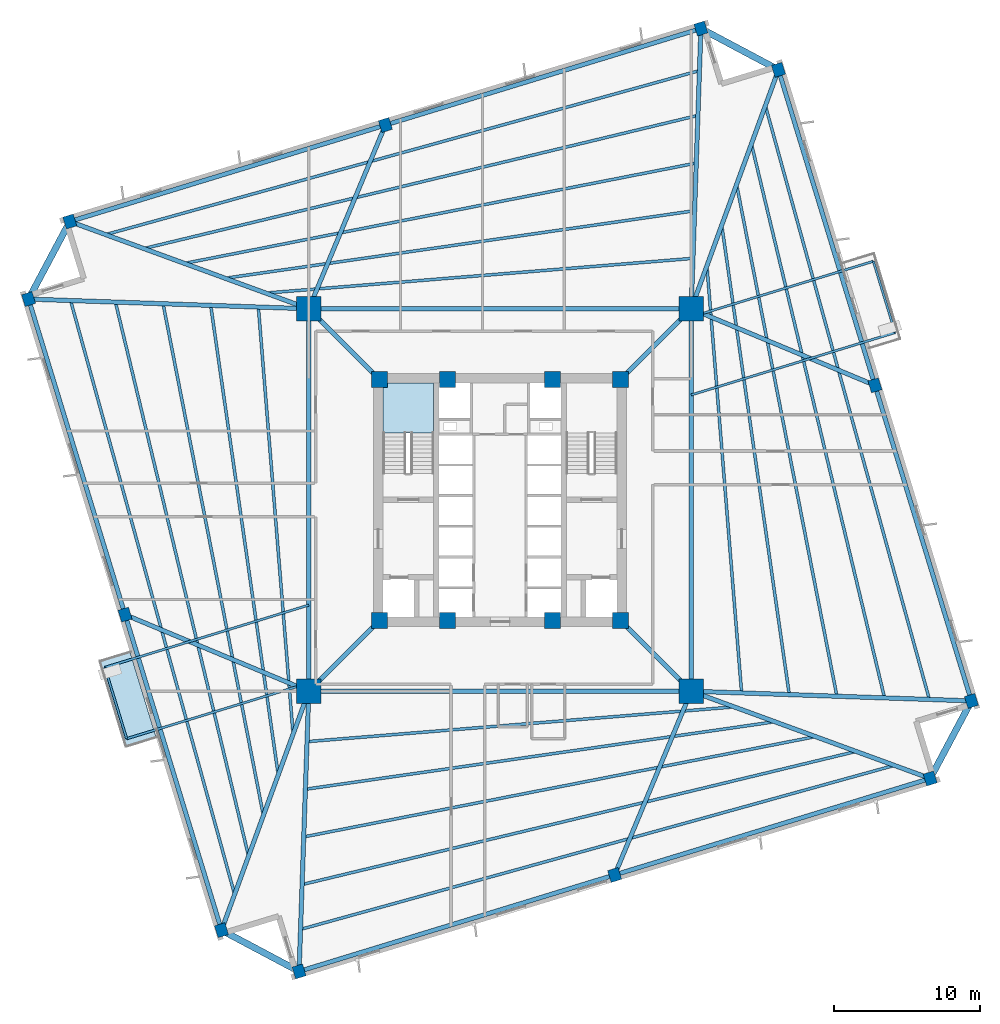
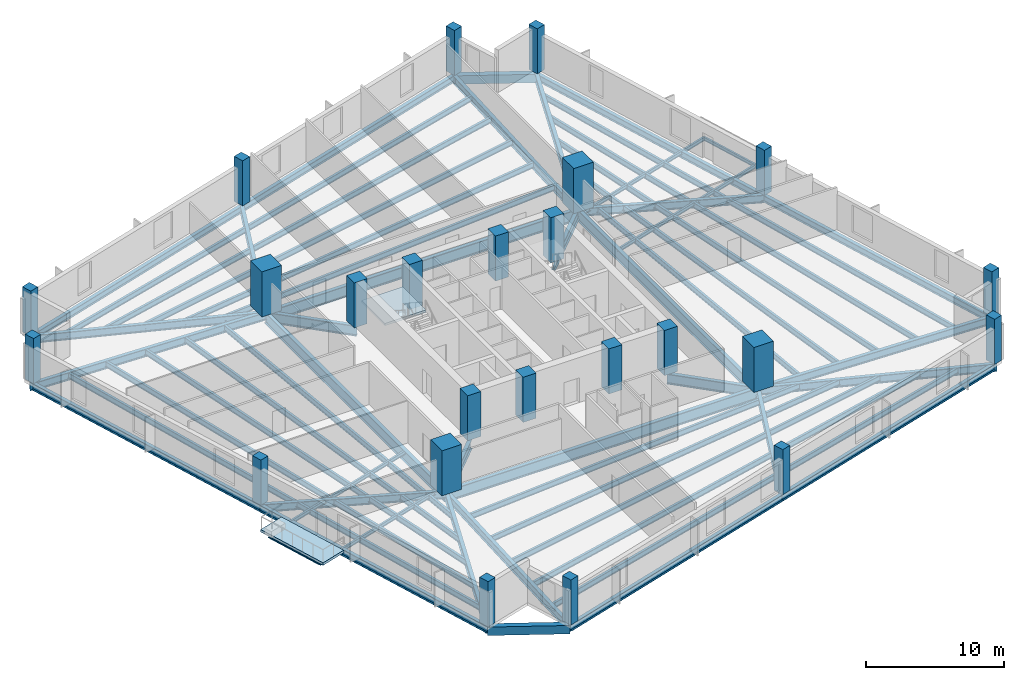
# One storey, part 1 of 9: 58 beams, 24 columns, 2 slabs, 1 element without a shape of its own.
"""IFC4 building model written with IfcOpenShell, lengths in metres."""

from ifc_helpers import new_model, si_unit, direction, frame, origin, origin_2d, place, context, subcontext, project, spatial, polyline, rectangle, i_section, outline, extrude, source, transform, mapped, material, layer, layer_set, material_profile, profile_set, type_object, element, aggregate, save


model = new_model("IFC4")

# Units and contexts
model_context = context("Model", 3, precision=1e-05, world=origin(), true_north=direction((0.0, 1.0)))
body_context = subcontext(model_context, "Body", "Model", "MODEL_VIEW")
ifc_project = project(units=[si_unit("LENGTHUNIT", "METRE"), si_unit("AREAUNIT", "SQUARE_METRE"), si_unit("VOLUMEUNIT", "CUBIC_METRE"), si_unit("PLANEANGLEUNIT", "RADIAN"), si_unit("MASSUNIT", "GRAM", prefix="KILO"), si_unit("THERMODYNAMICTEMPERATUREUNIT", "KELVIN")], contexts=[model_context])

# Site, building, storey
site_placement = place(None, origin())
site = spatial("IfcSite", under=ifc_project, at=site_placement, CompositionType="ELEMENT")
building_placement = place(site_placement, origin())
building = spatial("IfcBuilding", under=site, at=building_placement, Name="Kosmvard Interchange Tower", CompositionType="ELEMENT")
storey_placement = place(building_placement, frame((0.0, 0.0, 83.199951171875)))
storey = spatial("IfcBuildingStorey", under=building, at=storey_placement, Name="L19", CompositionType="ELEMENT", Elevation=83.199951171875)

# Columns
ifc_material_1 = material(Name="Concrete C80/95", Category="concrete")
ifc_material_profile_1 = material_profile(ifc_material_1, rectangle(XDim=1.10009765625, YDim=1.10009765625, at=origin_2d()), Name="CP 1100x1100")
ifc_profile_set_1 = profile_set([ifc_material_profile_1], Name="Concrete C80/95")
column_type_1 = type_object("IfcColumnType", Name="Core Boundary Pilaster 1100x1100 C80/95", PredefinedType="PILASTER", material=ifc_profile_set_1)
shared_shape_1 = source(origin(), body_context, "Body", "SweptSolid", [
    extrude(rectangle(XDim=1.10009765625, YDim=1.10009765625, at=origin_2d()), origin(), (0.0, 0.0, 1.0), 4.0),
])
for number, where, z_axis, x_axis, name in (
    (1, (-8.25, -8.25, 0.0), (0.0, 0.0, 1.0), (1.0, 0.0, 0.0), "L19 Core Pilaster CP1"),
    (2, (8.25, -8.25, 0.0), (0.0, 0.0, 1.0), (1.0, 0.0, 0.0), "L19 Core Pilaster CP2"),
    (3, (8.25, 8.25, 0.0), (0.0, 0.0, 1.0), (1.0, 0.0, 0.0), "L19 Core Pilaster CP3"),
    (4, (-8.25, 8.25, 0.0), (0.0, 0.0, 1.0), (1.0, 0.0, 0.0), "L19 Core Pilaster CP4"),
    (5, (-3.60009765625, -8.25, 0.0), (0.0, 0.0, 1.0), (1.0, 0.0, 0.0), "L19 Core Pilaster CP5"),
    (6, (3.60009765625, -8.25, 0.0), (0.0, 0.0, 1.0), (1.0, 0.0, 0.0), "L19 Core Pilaster CP6"),
    (7, (-3.60009765625, 8.25, 0.0), (0.0, 0.0, 1.0), (1.0, 0.0, 0.0), "L19 Core Pilaster CP7"),
    (8, (3.60009765625, 8.25, 0.0), (0.0, 0.0, 1.0), (1.0, 0.0, 0.0), "L19 Core Pilaster CP8"),
):
    element("IfcColumn", number, at=place(storey_placement, frame(where, z_axis=z_axis, x_axis=x_axis)), inside=storey, type_object=column_type_1, Name=name, PredefinedType="PILASTER", context=body_context, shape_type="MappedRepresentation", body=[
        mapped(shared_shape_1, transform((0.0, 0.0, 0.0), scale=1.0)),
    ])
ifc_material_2 = material(Name="Concrete C70/85", Category="concrete")
ifc_material_profile_2 = material_profile(ifc_material_2, rectangle(XDim=1.64990234375, YDim=1.64990234375, at=origin_2d()), Name="MC 1650x1650")
ifc_profile_set_2 = profile_set([ifc_material_profile_2], Name="Concrete C70/85")
column_type_2 = type_object("IfcColumnType", Name="Composite Mega-Column 1650x1650 C70/85", PredefinedType="COLUMN", material=ifc_profile_set_2)
shared_shape_2 = source(origin(), body_context, "Body", "SweptSolid", [
    extrude(rectangle(XDim=1.64990234375, YDim=1.64990234375, at=origin_2d()), origin(), (0.0, 0.0, 1.0), 4.0),
])
for number, where, z_axis, x_axis, name in (
    (9, (-13.0810546875, -13.0810546875, 0.0), (0.0, 0.0, 1.0), (1.0, 0.0, 0.0), "L19 Corner Mega-Column MC1"),
    (10, (13.0810546875, -13.0810546875, 0.0), (0.0, 0.0, 1.0), (1.0, 0.0, 0.0), "L19 Corner Mega-Column MC2"),
    (11, (13.0810546875, 13.0810546875, 0.0), (0.0, 0.0, 1.0), (1.0, 0.0, 0.0), "L19 Corner Mega-Column MC3"),
    (12, (-13.0810546875, 13.0810546875, 0.0), (0.0, 0.0, 1.0), (1.0, 0.0, 0.0), "L19 Corner Mega-Column MC4"),
):
    element("IfcColumn", number, at=place(storey_placement, frame(where, z_axis=z_axis, x_axis=x_axis)), inside=storey, type_object=column_type_2, Name=name, PredefinedType="COLUMN", context=body_context, shape_type="MappedRepresentation", body=[
        mapped(shared_shape_2, transform((0.0, 0.0, 0.0), scale=1.0)),
    ])
ifc_material_3 = material(Name="Concrete C60/75", Category="concrete")
ifc_material_profile_3 = material_profile(ifc_material_3, rectangle(XDim=0.75, YDim=0.85009765625, at=origin_2d()), Name="TC 850x750")
ifc_profile_set_3 = profile_set([ifc_material_profile_3], Name="Concrete C60/75")
column_type_3 = type_object("IfcColumnType", Name="Zone 2 Perimeter Pier Column 850x750 C60/75", PredefinedType="COLUMN", material=ifc_profile_set_3)
shared_shape_3 = source(origin(), body_context, "Body", "SweptSolid", [
    extrude(rectangle(XDim=0.75, YDim=0.85009765625, at=origin_2d()), origin(), (0.0, 0.0, 1.0), 4.0),
])
for number, where, z_axis, x_axis, name in (
    (13, (-13.74560546875, -32.253173828125, 0.0), (0.0, 0.0, 1.0), (0.956304755963, 0.292371704723, 0.0), "L19 Perimeter Pier Column TC-S1"),
    (14, (7.8427734375, -25.65283203125, 0.0), (0.0, 0.0, 1.0), (0.956304755963, 0.292371704723, 0.0), "L19 Perimeter Pier Column TC-S2"),
    (15, (29.431396484375, -19.052490234375, 0.0), (0.0, 0.0, 1.0), (0.956304755963, 0.292371704723, 0.0), "L19 Perimeter Pier Column TC-S3"),
    (16, (32.253173828125, -13.74560546875, 0.0), (0.0, 0.0, 1.0), (0.956304755963, 0.292371704723, 0.0), "L19 Perimeter Pier Column TC-E1"),
    (17, (25.65283203125, 7.8427734375, 0.0), (0.0, 0.0, 1.0), (0.956304755963, 0.292371704723, 0.0), "L19 Perimeter Pier Column TC-E2"),
    (18, (19.052490234375, 29.431396484375, 0.0), (0.0, 0.0, 1.0), (0.956304755963, 0.292371704723, 0.0), "L19 Perimeter Pier Column TC-E3"),
    (19, (13.74560546875, 32.253173828125, 0.0), (0.0, 0.0, 1.0), (0.956304755963, 0.292371704723, 0.0), "L19 Perimeter Pier Column TC-N1"),
    (20, (-7.8427734375, 25.65283203125, 0.0), (0.0, 0.0, 1.0), (0.956304755963, 0.292371704723, 0.0), "L19 Perimeter Pier Column TC-N2"),
    (21, (-29.431396484375, 19.052490234375, 0.0), (0.0, 0.0, 1.0), (0.956304755963, 0.292371704723, 0.0), "L19 Perimeter Pier Column TC-N3"),
    (22, (-32.253173828125, 13.74560546875, 0.0), (0.0, 0.0, 1.0), (0.956304755963, 0.292371704723, 0.0), "L19 Perimeter Pier Column TC-W1"),
    (23, (-25.65283203125, -7.8427734375, 0.0), (0.0, 0.0, 1.0), (0.956304755963, 0.292371704723, 0.0), "L19 Perimeter Pier Column TC-W2"),
    (24, (-19.052490234375, -29.431396484375, 0.0), (0.0, 0.0, 1.0), (0.956304755963, 0.292371704723, 0.0), "L19 Perimeter Pier Column TC-W3"),
):
    element("IfcColumn", number, at=place(storey_placement, frame(where, z_axis=z_axis, x_axis=x_axis)), inside=storey, type_object=column_type_3, Name=name, PredefinedType="COLUMN", context=body_context, shape_type="MappedRepresentation", body=[
        mapped(shared_shape_3, transform((0.0, 0.0, 0.0), scale=1.0)),
    ])

# Beams
ifc_material_4 = material(Name="Steel S460", Category="steel")
ifc_material_profile_4 = material_profile(ifc_material_4, i_section(OverallWidth=0.30810546875, OverallDepth=0.909912109375, WebThickness=0.02099609375, FlangeThickness=0.0400390625, FilletRadius=0.027099609375, at=origin_2d()), Name="HEM 900")
ifc_profile_set_4 = profile_set([ifc_material_profile_4], Name="Steel S460")
beam_type_1 = type_object("IfcBeamType", Name="Primary Mega-Frame Girder HEM 900 S460", PredefinedType="BEAM", material=ifc_profile_set_4)
shared_shape_4 = source(origin(), body_context, "Body", "SweptSolid", [
    extrude(i_section(OverallWidth=0.30810546875, OverallDepth=0.909912109375, WebThickness=0.02099609375, FlangeThickness=0.0400390625, FilletRadius=0.027099609375, at=origin_2d()), origin(), (0.0, 0.0, 1.0), 6.83203125),
])
for number, where, z_axis, x_axis, name in (
    (25, (-8.25, -8.25, -0.71484375), (-0.707106781187, -0.707106781187, 0.0), (0.707106781187, -0.707106781187, 0.0), "L19 Radial Mega-Frame Girder 1"),
    (26, (8.25, -8.25, -0.71484375), (0.707106781187, -0.707106781187, 0.0), (0.707106781187, 0.707106781187, 0.0), "L19 Radial Mega-Frame Girder 2"),
    (27, (8.25, 8.25, -0.71484375), (0.707106781187, 0.707106781187, 0.0), (-0.707106781187, 0.707106781187, 0.0), "L19 Radial Mega-Frame Girder 3"),
    (28, (-8.25, 8.25, -0.71484375), (-0.707106781187, 0.707106781187, 0.0), (-0.707106781187, -0.707106781187, 0.0), "L19 Radial Mega-Frame Girder 4"),
):
    element("IfcBeam", number, at=place(storey_placement, frame(where, z_axis=z_axis, x_axis=x_axis)), inside=storey, type_object=beam_type_1, Name=name, PredefinedType="BEAM", context=body_context, shape_type="MappedRepresentation", body=[
        mapped(shared_shape_4, transform((0.0, 0.0, 0.0), scale=1.0)),
    ])
ifc_material_profile_5 = material_profile(ifc_material_4, i_section(OverallWidth=0.30908203125, OverallDepth=1.008056640625, WebThickness=0.02099609375, FlangeThickness=0.0400390625, FilletRadius=0.030029296875, at=origin_2d()), Name="HEM 1000")
ifc_profile_set_5 = profile_set([ifc_material_profile_5], Name="Steel S460")
beam_type_2 = type_object("IfcBeamType", Name="Mega-Column Ring Girder HEM 1000 S460", PredefinedType="BEAM", material=ifc_profile_set_5)
shared_shape_5 = source(origin(), body_context, "Body", "SweptSolid", [
    extrude(i_section(OverallWidth=0.30908203125, OverallDepth=1.008056640625, WebThickness=0.02099609375, FlangeThickness=0.0400390625, FilletRadius=0.030029296875, at=origin_2d()), origin(), (0.0, 0.0, 1.0), 26.162109375),
])
for number, where, z_axis, x_axis, name in (
    (29, (-13.0810546875, -13.0810546875, -0.763916015625), (1.0, 0.0, 0.0), (0.0, 1.0, 0.0), "L19 Mega-Column Ring Girder 1"),
    (30, (13.0810546875, -13.0810546875, -0.763916015625), (0.0, 1.0, 0.0), (-1.0, 0.0, 0.0), "L19 Mega-Column Ring Girder 2"),
    (31, (13.0810546875, 13.0810546875, -0.763916015625), (-1.0, 0.0, 0.0), (0.0, -1.0, 0.0), "L19 Mega-Column Ring Girder 3"),
    (32, (-13.0810546875, 13.0810546875, -0.763916015625), (0.0, -1.0, 0.0), (1.0, 0.0, 0.0), "L19 Mega-Column Ring Girder 4"),
):
    element("IfcBeam", number, at=place(storey_placement, frame(where, z_axis=z_axis, x_axis=x_axis)), inside=storey, type_object=beam_type_2, Name=name, PredefinedType="BEAM", context=body_context, shape_type="MappedRepresentation", body=[
        mapped(shared_shape_5, transform((0.0, 0.0, 0.0), scale=1.0)),
    ])
ifc_material_5 = material(Name="Steel S355", Category="steel")
ifc_material_profile_6 = material_profile(ifc_material_5, i_section(OverallWidth=0.14990234375, OverallDepth=0.300048828125, WebThickness=0.007080078125, FlangeThickness=0.0107421875, FilletRadius=0.014892578125, at=origin_2d()), Name="IPE 300")
ifc_profile_set_6 = profile_set([ifc_material_profile_6], Name="Steel S355")
beam_type_3 = type_object("IfcBeamType", Name="Balcony Edge Header Joist IPE 300 S355", PredefinedType="JOIST", material=ifc_profile_set_6)
shared_shape_6 = source(origin(), body_context, "Body", "SweptSolid", [
    extrude(i_section(OverallWidth=0.14990234375, OverallDepth=0.300048828125, WebThickness=0.007080078125, FlangeThickness=0.0107421875, FilletRadius=0.014892578125, at=origin_2d()), origin(), (0.0, 0.0, 1.0), 5.099853515625),
])
for number, where, z_axis, x_axis, name in (
    (33, (27.032470703125, 11.4541015625, -0.409912109375), (-0.292403397238, 0.956295066015, 0.0), (-0.956295066015, -0.292403397238, 0.0), "BM-L19-BJH1"),
    (34, (-27.032470703125, -11.4541015625, -0.409912109375), (0.292403397238, -0.956295066015, 0.0), (0.956295066015, 0.292403397238, 0.0), "BM-L19-BJH2"),
):
    element("IfcBeam", number, at=place(storey_placement, frame(where, z_axis=z_axis, x_axis=x_axis)), inside=storey, type_object=beam_type_3, Name=name, PredefinedType="JOIST", context=body_context, shape_type="MappedRepresentation", body=[
        mapped(shared_shape_6, transform((0.0, 0.0, 0.0), scale=1.0)),
    ])
ifc_material_profile_7 = material_profile(ifc_material_5, i_section(OverallWidth=0.300048828125, OverallDepth=0.60009765625, WebThickness=0.015380859375, FlangeThickness=0.030029296875, FilletRadius=0.027099609375, at=origin_2d()), Name="HEB 600")
ifc_profile_set_7 = profile_set([ifc_material_profile_7], Name="Steel S355")
beam_type_4 = type_object("IfcBeamType", Name="Perimeter Tie Girder HEB 600 S355", PredefinedType="BEAM", material=ifc_profile_set_7)
shared_shape_7 = source(origin(), body_context, "Body", "SweptSolid", [
    extrude(i_section(OverallWidth=0.300048828125, OverallDepth=0.60009765625, WebThickness=0.015380859375, FlangeThickness=0.030029296875, FilletRadius=0.027099609375, at=origin_2d()), origin(), (0.0, 0.0, 1.0), 22.57470703125),
])
for number, where, z_axis, x_axis, name in (
    (35, (-13.74560546875, -32.253173828125, -0.56005859375), (0.956303368768, 0.292376241995, 0.0), (-0.292376241995, 0.956303368768, 0.0), "BM-L19-PR01"),
    (36, (32.253173828125, -13.74560546875, -0.56005859375), (-0.292376241995, 0.956303368768, 0.0), (-0.956303368768, -0.292376241995, 0.0), "BM-L19-PR04"),
    (37, (13.74560546875, 32.253173828125, -0.56005859375), (-0.956303368768, -0.292376241995, 0.0), (0.292376241995, -0.956303368768, 0.0), "BM-L19-PR07"),
    (38, (-32.253173828125, 13.74560546875, -0.56005859375), (0.292376241995, -0.956303368768, 0.0), (0.956303368768, 0.292376241995, 0.0), "BM-L19-PR10"),
):
    element("IfcBeam", number, at=place(storey_placement, frame(where, z_axis=z_axis, x_axis=x_axis)), inside=storey, type_object=beam_type_4, Name=name, PredefinedType="BEAM", context=body_context, shape_type="MappedRepresentation", body=[
        mapped(shared_shape_7, transform((0.0, 0.0, 0.0), scale=1.0)),
    ])
ifc_material_profile_8 = material_profile(ifc_material_5, i_section(OverallWidth=0.300048828125, OverallDepth=0.699951171875, WebThickness=0.01708984375, FlangeThickness=0.031982421875, FilletRadius=0.027099609375, at=origin_2d()), Name="HEB 700")
ifc_profile_set_8 = profile_set([ifc_material_profile_8], Name="Steel S355")
beam_type_5 = type_object("IfcBeamType", Name="Primary Floor Girder HEB 700 S355", PredefinedType="BEAM", material=ifc_profile_set_8)
shared_shape_8 = source(origin(), body_context, "Body", "SweptSolid", [
    extrude(i_section(OverallWidth=0.300048828125, OverallDepth=0.699951171875, WebThickness=0.01708984375, FlangeThickness=0.031982421875, FilletRadius=0.027099609375, at=origin_2d()), origin(), (0.0, 0.0, 1.0), 19.18359375),
])
for number, where, z_axis, x_axis, name in (
    (39, (-13.0810546875, -13.0810546875, -0.60986328125), (-0.034641549738, -0.999399801397, 0.0), (0.999399801397, -0.034641549738, 0.0), "BM-L19-RD01"),
    (40, (13.0810546875, -13.0810546875, -0.60986328125), (0.999399801397, -0.034641549738, 0.0), (0.034641549738, 0.999399801397, 0.0), "BM-L19-RD04"),
    (41, (13.0810546875, 13.0810546875, -0.60986328125), (0.034641549738, 0.999399801397, 0.0), (-0.999399801397, 0.034641549738, 0.0), "BM-L19-RD07"),
    (42, (-13.0810546875, 13.0810546875, -0.60986328125), (-0.999399801397, 0.034641549738, 0.0), (-0.034641549738, -0.999399801397, 0.0), "BM-L19-RD10"),
):
    element("IfcBeam", number, at=place(storey_placement, frame(where, z_axis=z_axis, x_axis=x_axis)), inside=storey, type_object=beam_type_5, Name=name, PredefinedType="BEAM", context=body_context, shape_type="MappedRepresentation", body=[
        mapped(shared_shape_8, transform((0.0, 0.0, 0.0), scale=1.0)),
    ])
shared_shape_9 = source(origin(), body_context, "Body", "SweptSolid", [
    extrude(i_section(OverallWidth=0.300048828125, OverallDepth=0.60009765625, WebThickness=0.015380859375, FlangeThickness=0.030029296875, FilletRadius=0.027099609375, at=origin_2d()), origin(), (0.0, 0.0, 1.0), 22.574951171875),
])
for number, where, z_axis, x_axis, name in (
    (43, (7.8427734375, -25.65283203125, -0.56005859375), (0.956304293239, 0.292373218222, 0.0), (-0.292373218222, 0.956304293239, 0.0), "BM-L19-PR02"),
    (44, (25.65283203125, 7.8427734375, -0.56005859375), (-0.292373218222, 0.956304293239, 0.0), (-0.956304293239, -0.292373218222, 0.0), "BM-L19-PR05"),
    (45, (-7.8427734375, 25.65283203125, -0.56005859375), (-0.956304293239, -0.292373218222, 0.0), (0.292373218222, -0.956304293239, 0.0), "BM-L19-PR08"),
    (46, (-25.65283203125, -7.8427734375, -0.56005859375), (0.292373218222, -0.956304293239, 0.0), (0.956304293239, 0.292373218222, 0.0), "BM-L19-PR11"),
):
    element("IfcBeam", number, at=place(storey_placement, frame(where, z_axis=z_axis, x_axis=x_axis)), inside=storey, type_object=beam_type_4, Name=name, PredefinedType="BEAM", context=body_context, shape_type="MappedRepresentation", body=[
        mapped(shared_shape_9, transform((0.0, 0.0, 0.0), scale=1.0)),
    ])
shared_shape_10 = source(origin(), body_context, "Body", "SweptSolid", [
    extrude(i_section(OverallWidth=0.300048828125, OverallDepth=0.699951171875, WebThickness=0.01708984375, FlangeThickness=0.031982421875, FilletRadius=0.027099609375, at=origin_2d()), origin(), (0.0, 0.0, 1.0), 13.619384765625),
])
for number, where, z_axis, x_axis, name in (
    (47, (13.0810546875, -13.0810546875, -0.60986328125), (-0.384617930303, -0.92307586237, 0.0), (0.92307586237, -0.384617930303, 0.0), "BM-L19-RD02"),
    (48, (13.0810546875, 13.0810546875, -0.60986328125), (0.92307586237, -0.384617930303, 0.0), (0.384617930303, 0.92307586237, 0.0), "BM-L19-RD05"),
    (49, (-13.0810546875, 13.0810546875, -0.60986328125), (0.384617930303, 0.92307586237, 0.0), (-0.92307586237, 0.384617930303, 0.0), "BM-L19-RD08"),
    (50, (-13.0810546875, -13.0810546875, -0.60986328125), (-0.92307586237, 0.384617930303, 0.0), (-0.384617930303, -0.92307586237, 0.0), "BM-L19-RD11"),
):
    element("IfcBeam", number, at=place(storey_placement, frame(where, z_axis=z_axis, x_axis=x_axis)), inside=storey, type_object=beam_type_5, Name=name, PredefinedType="BEAM", context=body_context, shape_type="MappedRepresentation", body=[
        mapped(shared_shape_10, transform((0.0, 0.0, 0.0), scale=1.0)),
    ])
ifc_material_6 = material(Name="Precast concrete C45/55", Category="concrete")
ifc_material_profile_9 = material_profile(ifc_material_6, rectangle(XDim=0.449951171875, YDim=0.75, at=origin_2d()), Name="SL 450x750")
ifc_profile_set_9 = profile_set([ifc_material_profile_9], Name="Precast concrete C45/55")
beam_type_6 = type_object("IfcBeamType", Name="Precast Spandrel Lintel 450x750 C45/55", PredefinedType="LINTEL", material=ifc_profile_set_9)
shared_shape_11 = source(origin(), body_context, "Body", "SweptSolid", [
    extrude(rectangle(XDim=0.449951171875, YDim=0.75, at=origin_2d()), origin(), (0.0, 0.0, 1.0), 6.010498046875),
])
for number, where, z_axis, x_axis, name in (
    (51, (29.431396484375, -19.052490234375, -0.635009765625), (0.469478912111, 0.882943685114, 0.0), (-0.882943685114, 0.469478912111, 0.0), "BM-L19-SL1"),
    (52, (19.052490234375, 29.431396484375, -0.635009765625), (-0.882943685114, 0.469478912111, 0.0), (-0.469478912111, -0.882943685114, 0.0), "BM-L19-SL2"),
    (53, (-29.431396484375, 19.052490234375, -0.635009765625), (-0.469478912111, -0.882943685114, 0.0), (0.882943685114, -0.469478912111, 0.0), "BM-L19-SL3"),
    (54, (-19.052490234375, -29.431396484375, -0.635009765625), (0.882943685114, -0.469478912111, 0.0), (0.469478912111, 0.882943685114, 0.0), "BM-L19-SL4"),
):
    element("IfcBeam", number, at=place(storey_placement, frame(where, z_axis=z_axis, x_axis=x_axis)), inside=storey, type_object=beam_type_6, Name=name, PredefinedType="LINTEL", context=body_context, shape_type="MappedRepresentation", body=[
        mapped(shared_shape_11, transform((0.0, 0.0, 0.0), scale=1.0)),
    ])
shared_shape_12 = source(origin(), body_context, "Body", "SweptSolid", [
    extrude(i_section(OverallWidth=0.300048828125, OverallDepth=0.699951171875, WebThickness=0.01708984375, FlangeThickness=0.031982421875, FilletRadius=0.027099609375, at=origin_2d()), origin(), (0.0, 0.0, 1.0), 17.40673828125),
])
for number, where, z_axis, x_axis, name in (
    (55, (13.0810546875, -13.0810546875, -0.60986328125), (0.939315429031, -0.343054696491, 0.0), (0.343054696491, 0.939315429031, 0.0), "BM-L19-RD03"),
    (56, (13.0810546875, 13.0810546875, -0.60986328125), (0.343054696491, 0.939315429031, 0.0), (-0.939315429031, 0.343054696491, 0.0), "BM-L19-RD06"),
    (57, (-13.0810546875, 13.0810546875, -0.60986328125), (-0.939315429031, 0.343054696491, 0.0), (-0.343054696491, -0.939315429031, 0.0), "BM-L19-RD09"),
    (58, (-13.0810546875, -13.0810546875, -0.60986328125), (-0.343054696491, -0.939315429031, 0.0), (0.939315429031, -0.343054696491, 0.0), "BM-L19-RD12"),
):
    element("IfcBeam", number, at=place(storey_placement, frame(where, z_axis=z_axis, x_axis=x_axis)), inside=storey, type_object=beam_type_5, Name=name, PredefinedType="BEAM", context=body_context, shape_type="MappedRepresentation", body=[
        mapped(shared_shape_12, transform((0.0, 0.0, 0.0), scale=1.0)),
    ])
ifc_material_profile_10 = material_profile(ifc_material_5, i_section(OverallWidth=0.199951171875, OverallDepth=0.5, WebThickness=0.01025390625, FlangeThickness=0.01611328125, FilletRadius=0.02099609375, at=origin_2d()), Name="IPE 500")
ifc_profile_set_10 = profile_set([ifc_material_profile_10], Name="Steel S355")
beam_type_7 = type_object("IfcBeamType", Name="Standard Floor Joist IPE 500 S355", PredefinedType="JOIST", material=ifc_profile_set_10)
shared_shape_13 = source(origin(), body_context, "Body", "SweptSolid", [
    extrude(i_section(OverallWidth=0.199951171875, OverallDepth=0.5, WebThickness=0.01025390625, FlangeThickness=0.01611328125, FilletRadius=0.02099609375, at=origin_2d()), origin(), (0.0, 0.0, 1.0), 29.1611328125),
])
for number, where, z_axis, x_axis, name in (
    (59, (-13.120849609375, -16.525390625, -0.510009765625), (0.99671134435, 0.081033919093, 0.0), (-0.081033919093, 0.99671134435, 0.0), "BM-L19-FJ01"),
    (60, (16.525390625, -13.120849609375, -0.510009765625), (-0.081033919093, 0.99671134435, 0.0), (-0.99671134435, -0.081033919093, 0.0), "BM-L19-FJ06"),
    (61, (13.120849609375, 16.525390625, -0.510009765625), (-0.99671134435, -0.081033919093, 0.0), (0.081033919093, -0.99671134435, 0.0), "BM-L19-FJ11"),
    (62, (-16.525390625, 13.120849609375, -0.510009765625), (0.081033919093, -0.99671134435, 0.0), (0.99671134435, 0.081033919093, 0.0), "BM-L19-FJ16"),
):
    element("IfcBeam", number, at=place(storey_placement, frame(where, z_axis=z_axis, x_axis=x_axis)), inside=storey, type_object=beam_type_7, Name=name, PredefinedType="JOIST", context=body_context, shape_type="MappedRepresentation", body=[
        mapped(shared_shape_13, transform((0.0, 0.0, 0.0), scale=1.0)),
    ])
shared_shape_14 = source(origin(), body_context, "Body", "SweptSolid", [
    extrude(i_section(OverallWidth=0.199951171875, OverallDepth=0.5, WebThickness=0.01025390625, FlangeThickness=0.01611328125, FilletRadius=0.02099609375, at=origin_2d()), origin(), (0.0, 0.0, 1.0), 32.287841796875),
])
for number, where, z_axis, x_axis, name in (
    (63, (-13.234375, -19.77978515625, -0.510009765625), (0.989810798314, 0.142388846268, 0.0), (-0.142388846268, 0.989810798314, 0.0), "BM-L19-FJ02"),
    (64, (19.77978515625, -13.234375, -0.510009765625), (-0.142388846268, 0.989810798314, 0.0), (-0.989810798314, -0.142388846268, 0.0), "BM-L19-FJ07"),
    (65, (13.234375, 19.77978515625, -0.510009765625), (-0.989810798314, -0.142388846268, 0.0), (0.142388846268, -0.989810798314, 0.0), "BM-L19-FJ12"),
    (66, (-19.77978515625, 13.234375, -0.510009765625), (0.142388846268, -0.989810798314, 0.0), (0.989810798314, 0.142388846268, 0.0), "BM-L19-FJ17"),
):
    element("IfcBeam", number, at=place(storey_placement, frame(where, z_axis=z_axis, x_axis=x_axis)), inside=storey, type_object=beam_type_7, Name=name, PredefinedType="JOIST", context=body_context, shape_type="MappedRepresentation", body=[
        mapped(shared_shape_14, transform((0.0, 0.0, 0.0), scale=1.0)),
    ])
shared_shape_15 = source(origin(), body_context, "Body", "SweptSolid", [
    extrude(i_section(OverallWidth=0.199951171875, OverallDepth=0.5, WebThickness=0.01025390625, FlangeThickness=0.01611328125, FilletRadius=0.02099609375, at=origin_2d()), origin(), (0.0, 0.0, 1.0), 35.516357421875),
])
for number, where, z_axis, x_axis, name in (
    (67, (-13.34814453125, -23.03515625, -0.510009765625), (0.981315785618, 0.192404077134, 0.0), (-0.192404077134, 0.981315785618, 0.0), "BM-L19-FJ03"),
    (68, (23.03515625, -13.34814453125, -0.510009765625), (-0.192404077134, 0.981315785618, 0.0), (-0.981315785618, -0.192404077134, 0.0), "BM-L19-FJ08"),
    (69, (13.34814453125, 23.03515625, -0.510009765625), (-0.981315785618, -0.192404077134, 0.0), (0.192404077134, -0.981315785618, 0.0), "BM-L19-FJ13"),
    (70, (-23.03515625, 13.34814453125, -0.510009765625), (0.192404077134, -0.981315785618, 0.0), (0.981315785618, 0.192404077134, 0.0), "BM-L19-FJ18"),
):
    element("IfcBeam", number, at=place(storey_placement, frame(where, z_axis=z_axis, x_axis=x_axis)), inside=storey, type_object=beam_type_7, Name=name, PredefinedType="JOIST", context=body_context, shape_type="MappedRepresentation", body=[
        mapped(shared_shape_15, transform((0.0, 0.0, 0.0), scale=1.0)),
    ])
shared_shape_16 = source(origin(), body_context, "Body", "SweptSolid", [
    extrude(i_section(OverallWidth=0.199951171875, OverallDepth=0.5, WebThickness=0.01025390625, FlangeThickness=0.01611328125, FilletRadius=0.02099609375, at=origin_2d()), origin(), (0.0, 0.0, 1.0), 38.821533203125),
])
for number, where, z_axis, x_axis, name in (
    (71, (-13.4619140625, -26.291015625, -0.510009765625), (0.972318244358, 0.233660505198, 0.0), (-0.233660505198, 0.972318244358, 0.0), "BM-L19-FJ04"),
    (72, (26.291015625, -13.4619140625, -0.510009765625), (-0.233660505198, 0.972318244358, 0.0), (-0.972318244358, -0.233660505198, 0.0), "BM-L19-FJ09"),
    (73, (13.4619140625, 26.291015625, -0.510009765625), (-0.972318244358, -0.233660505198, 0.0), (0.233660505198, -0.972318244358, 0.0), "BM-L19-FJ14"),
    (74, (-26.291015625, 13.4619140625, -0.510009765625), (0.233660505198, -0.972318244358, 0.0), (0.972318244358, 0.233660505198, 0.0), "BM-L19-FJ19"),
):
    element("IfcBeam", number, at=place(storey_placement, frame(where, z_axis=z_axis, x_axis=x_axis)), inside=storey, type_object=beam_type_7, Name=name, PredefinedType="JOIST", context=body_context, shape_type="MappedRepresentation", body=[
        mapped(shared_shape_16, transform((0.0, 0.0, 0.0), scale=1.0)),
    ])
shared_shape_17 = source(origin(), body_context, "Body", "SweptSolid", [
    extrude(i_section(OverallWidth=0.199951171875, OverallDepth=0.5, WebThickness=0.01025390625, FlangeThickness=0.01611328125, FilletRadius=0.02099609375, at=origin_2d()), origin(), (0.0, 0.0, 1.0), 41.98583984375),
])
for number, where, z_axis, x_axis, name in (
    (75, (-13.56884765625, -29.35595703125, -0.510009765625), (0.96391074105, 0.266225624778, 0.0), (-0.266225624778, 0.96391074105, 0.0), "BM-L19-FJ05"),
    (76, (29.35595703125, -13.56884765625, -0.510009765625), (-0.266225624778, 0.96391074105, 0.0), (-0.96391074105, -0.266225624778, 0.0), "BM-L19-FJ10"),
    (77, (13.56884765625, 29.35595703125, -0.510009765625), (-0.96391074105, -0.266225624778, 0.0), (0.266225624778, -0.96391074105, 0.0), "BM-L19-FJ15"),
    (78, (-29.35595703125, 13.56884765625, -0.510009765625), (0.266225624778, -0.96391074105, 0.0), (0.96391074105, 0.266225624778, 0.0), "BM-L19-FJ20"),
):
    element("IfcBeam", number, at=place(storey_placement, frame(where, z_axis=z_axis, x_axis=x_axis)), inside=storey, type_object=beam_type_7, Name=name, PredefinedType="JOIST", context=body_context, shape_type="MappedRepresentation", body=[
        mapped(shared_shape_17, transform((0.0, 0.0, 0.0), scale=1.0)),
    ])
ifc_material_profile_11 = material_profile(ifc_material_5, i_section(OverallWidth=0.159912109375, OverallDepth=0.330078125, WebThickness=0.007568359375, FlangeThickness=0.011474609375, FilletRadius=0.01806640625, at=origin_2d()), Name="IPE 330")
ifc_profile_set_11 = profile_set([ifc_material_profile_11], Name="Steel S355")
beam_type_8 = type_object("IfcBeamType", Name="Balcony Cantilever Joist IPE 330 S355", PredefinedType="JOIST", material=ifc_profile_set_11)
shared_shape_18 = source(origin(), body_context, "Body", "SweptSolid", [
    extrude(i_section(OverallWidth=0.159912109375, OverallDepth=0.330078125, WebThickness=0.007568359375, FlangeThickness=0.011474609375, FilletRadius=0.01806640625, at=origin_2d()), origin(), (0.0, 0.0, 1.0), 14.5888671875),
])
for number, where, z_axis, x_axis, name in (
    (79, (13.0810546875, 7.188720703125, -0.425048828125), (0.95630466141, 0.292372013991, 0.0), (-0.292372013991, 0.95630466141, 0.0), "BM-L19-BJ1"),
    (80, (-13.0810546875, -7.188720703125, -0.425048828125), (-0.95630466141, -0.292372013991, 0.0), (0.292372013991, -0.95630466141, 0.0), "BM-L19-BJ2"),
):
    element("IfcBeam", number, at=place(storey_placement, frame(where, z_axis=z_axis, x_axis=x_axis)), inside=storey, type_object=beam_type_8, Name=name, PredefinedType="JOIST", context=body_context, shape_type="MappedRepresentation", body=[
        mapped(shared_shape_18, transform((0.0, 0.0, 0.0), scale=1.0)),
    ])
shared_shape_19 = source(origin(), body_context, "Body", "SweptSolid", [
    extrude(i_section(OverallWidth=0.159912109375, OverallDepth=0.330078125, WebThickness=0.007568359375, FlangeThickness=0.011474609375, FilletRadius=0.01806640625, at=origin_2d()), origin(), (0.0, 0.0, 1.0), 13.029541015625),
])
for number, where, z_axis, x_axis, name in (
    (81, (13.0810546875, 12.521728515625, -0.425048828125), (0.956307777684, 0.292361820938, 0.0), (-0.292361820938, 0.956307777684, 0.0), "BM-L19-BJB1"),
    (82, (-13.0810546875, -12.521728515625, -0.425048828125), (-0.956307777684, -0.292361820938, 0.0), (0.292361820938, -0.956307777684, 0.0), "BM-L19-BJB2"),
):
    element("IfcBeam", number, at=place(storey_placement, frame(where, z_axis=z_axis, x_axis=x_axis)), inside=storey, type_object=beam_type_8, Name=name, PredefinedType="JOIST", context=body_context, shape_type="MappedRepresentation", body=[
        mapped(shared_shape_19, transform((0.0, 0.0, 0.0), scale=1.0)),
    ])

# Stair, slab
ifc_material_7 = material(Name="Concrete C50/60", Category="concrete")
stair_type = type_object("IfcStairType", Name="Dog-Leg Core Exit Stair H4000 C50/60", PredefinedType="HALF_TURN_STAIR", material=ifc_material_7)
stair_placement = place(storey_placement, origin())
stair = element("IfcStair", 83, at=stair_placement, inside=storey, type_object=stair_type, Name="L19 Protected Exit Stair ST-1", PredefinedType="HALF_TURN_STAIR")
ifc_layer_1 = layer(ifc_material_7, 0.199951171875, Name="Concrete C50/60")
ifc_layer_set_1 = layer_set([ifc_layer_1], Name="Concrete C50/60")
slab_type_1 = type_object("IfcSlabType", Name="Stair Half-Landing Slab 200 C50/60", PredefinedType="LANDING", material=ifc_layer_set_1)
slab_1_placement = place(storey_placement, frame((0.0, 0.0, 1.800048828125)))
slab_1 = element("IfcSlab", 84, at=slab_1_placement, type_object=slab_type_1, Name="ST-1 landing 1", PredefinedType="LANDING", context=body_context, shape_type="SweptSolid", body=[
    extrude(outline(polyline([(-4.5400390625, 4.60009765625), (-4.5400390625, 8.0), (-8.0, 8.0), (-8.0, 4.60009765625), (-4.5400390625, 4.60009765625)])), origin(), (0.0, 0.0, 1.0), 0.199951171875),
])
aggregate(stair, [slab_1])

# Slab
ifc_layer_2 = layer(ifc_material_7, 0.22998046875, Name="Concrete C50/60")
ifc_layer_set_2 = layer_set([ifc_layer_2], Name="Concrete C50/60")
slab_type_2 = type_object("IfcSlabType", Name="Tree-Planter Cantilever Balcony Slab 230 C50/60", PredefinedType="FLOOR", material=ifc_layer_set_2)
slab_2_placement = place(storey_placement, frame((0.0, 0.0, -0.22998046875)))
element("IfcSlab", 85, at=slab_2_placement, inside=storey, type_object=slab_type_2, Name="L19 Outdoor Terrace Balcony Slab BAL-L19-W", PredefinedType="FLOOR", context=body_context, shape_type="SweptSolid", body=[
    extrude(outline(polyline([(-25.61962890625, -16.93017578125), (-23.515625, -16.286865234375), (-25.328369140625, -10.35791015625), (-27.43212890625, -11.001220703125), (-25.61962890625, -16.93017578125)])), origin(), (0.0, 0.0, 1.0), 0.22998046875),
])

save(model, "model.ifc")
